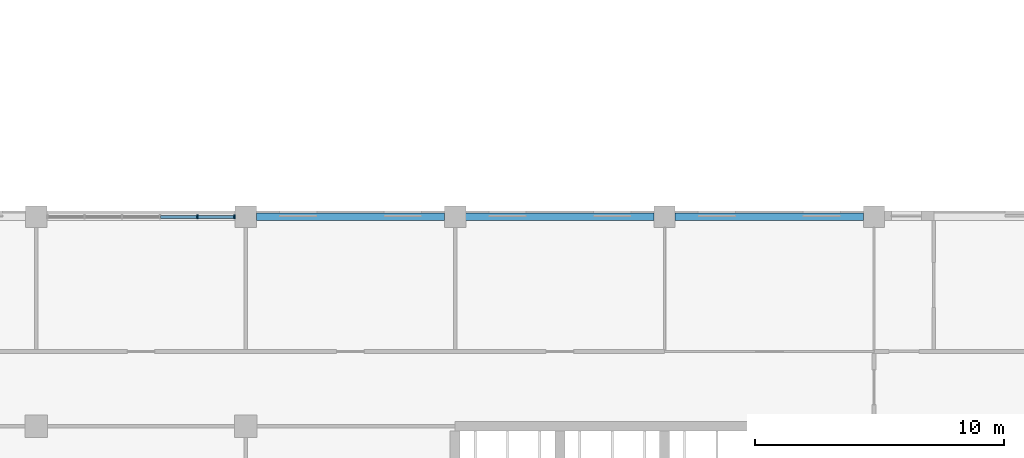
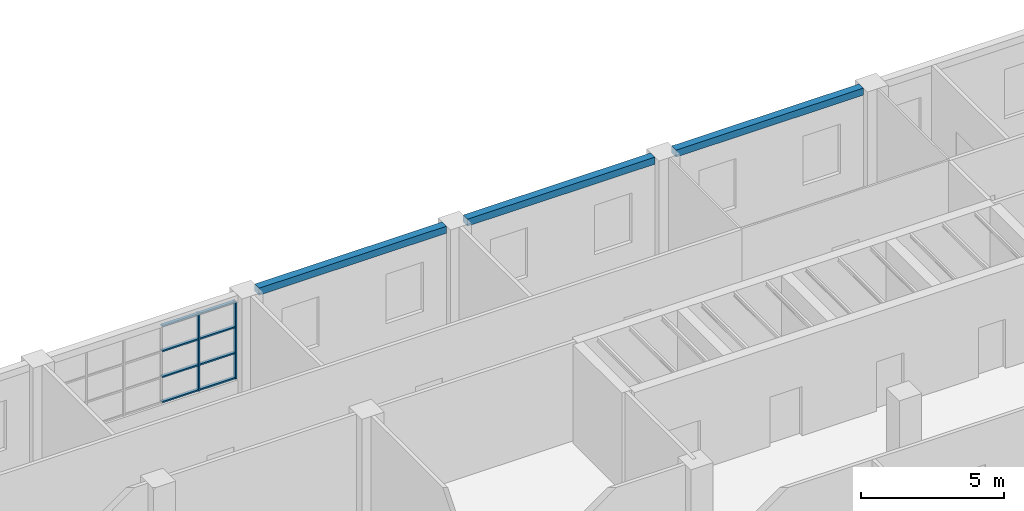
# One storey, part 13 of 66: 10 members, 3 beams, 1 element without a shape of its own.
"""IFC4 building model written with IfcOpenShell, lengths in metres."""

from ifc_helpers import new_model, si_unit, direction, frame, origin, origin_2d, place, context, subcontext, project, spatial, rectangle, extrude, material, material_profile, profile_set, type_object, element, aggregate, save


model = new_model("IFC4")

# Units and contexts
model_context = context("Model", 3, precision=1e-05, world=origin(), true_north=direction((0.0, 1.0)))
body_context = subcontext(model_context, "Body", "Model", "MODEL_VIEW")
ifc_project = project(units=[si_unit("LENGTHUNIT", "METRE"), si_unit("AREAUNIT", "SQUARE_METRE"), si_unit("VOLUMEUNIT", "CUBIC_METRE"), si_unit("PLANEANGLEUNIT", "RADIAN"), si_unit("MASSUNIT", "GRAM", prefix="KILO")], contexts=[model_context])

# Site, building, storey
site_placement = place(None, origin())
site = spatial("IfcSite", under=ifc_project, at=site_placement, CompositionType="ELEMENT")
building_placement = place(site_placement, origin())
building = spatial("IfcBuilding", under=site, at=building_placement, Name="Yavir Park General Hospital", CompositionType="ELEMENT")
storey_placement = place(building_placement, frame((0.0, 0.0, 8.39990234375)))
storey = spatial("IfcBuildingStorey", under=building, at=storey_placement, Name="L02", CompositionType="ELEMENT", Elevation=8.39990234375)

# Curtain wall, members
ifc_material_1 = material(Name="Aluminium curtain wall frame with insulated glazing", Category="aluminium")
curtain_wall_type = type_object("IfcCurtainWallType", Name="Day room pocket glazing, clinical floors, 3300 high, 1400 module", PredefinedType="NOTDEFINED", material=ifc_material_1)
curtain_wall_placement = place(storey_placement, origin())
curtain_wall = element("IfcCurtainWall", 1, at=curtain_wall_placement, inside=storey, type_object=curtain_wall_type, Name="CW58 L02-006", PredefinedType="NOTDEFINED")
ifc_material_2 = material(Name="Aluminium", Category="aluminium")
ifc_material_profile_1 = material_profile(ifc_material_2, rectangle(XDim=0.159912109375, YDim=0.06005859375, at=origin_2d()), Name="AL 60x160")
ifc_profile_set_1 = profile_set([ifc_material_profile_1], Name="Aluminium")
member_type_1 = type_object("IfcMemberType", Name="Day room pocket glazing, clinical floors, 3300 high mullion 60 x 160", PredefinedType="MULLION", material=ifc_profile_set_1)
member_1_placement = place(storey_placement, frame((65.264892578125, 33.60009765625, 0.60009765625), z_axis=(0.0, 0.0, 1.0), x_axis=(0.0, 1.0, 0.0)))
member_1 = element("IfcMember", 2, at=member_1_placement, type_object=member_type_1, Name="CW58 mullion 5", PredefinedType="MULLION", context=body_context, shape_type="SweptSolid", body=[
    extrude(rectangle(XDim=0.159912109375, YDim=0.06005859375, at=origin_2d()), origin(), (0.0, 0.0, 1.0), 3.300048828125),
])
member_2_placement = place(storey_placement, frame((66.7451171875, 33.60009765625, 0.60009765625), z_axis=(0.0, 0.0, 1.0), x_axis=(0.0, 1.0, 0.0)))
member_2 = element("IfcMember", 3, at=member_2_placement, type_object=member_type_1, Name="CW58 mullion 6", PredefinedType="MULLION", context=body_context, shape_type="SweptSolid", body=[
    extrude(rectangle(XDim=0.159912109375, YDim=0.06005859375, at=origin_2d()), origin(), (0.0, 0.0, 1.0), 3.300048828125),
])
ifc_material_3 = material(Name="Aluminium", Category="aluminium")
ifc_material_profile_2 = material_profile(ifc_material_3, rectangle(XDim=0.1201171875, YDim=0.06005859375, at=origin_2d()), Name="AL 120x60")
ifc_profile_set_2 = profile_set([ifc_material_profile_2], Name="Aluminium")
member_type_2 = type_object("IfcMemberType", Name="Day room pocket glazing, clinical floors, 3300 high transom 60 x 120", PredefinedType="MULLION", material=ifc_profile_set_2)
member_3_placement = place(storey_placement, frame((63.784912109375, 33.60009765625, 0.630126953125), z_axis=(1.0, 0.0, 0.0), x_axis=(0.0, 1.0, 0.0)))
member_3 = element("IfcMember", 4, at=member_3_placement, type_object=member_type_2, Name="CW58 transom 4.1", PredefinedType="MULLION", context=body_context, shape_type="SweptSolid", body=[
    extrude(rectangle(XDim=0.1201171875, YDim=0.06005859375, at=origin_2d()), origin(), (0.0, 0.0, 1.0), 1.4501953125),
])
member_4_placement = place(storey_placement, frame((63.784912109375, 33.60009765625, 1.7001953125), z_axis=(1.0, 0.0, 0.0), x_axis=(0.0, 1.0, 0.0)))
member_4 = element("IfcMember", 5, at=member_4_placement, type_object=member_type_2, Name="CW58 transom 4.2", PredefinedType="MULLION", context=body_context, shape_type="SweptSolid", body=[
    extrude(rectangle(XDim=0.1201171875, YDim=0.06005859375, at=origin_2d()), origin(), (0.0, 0.0, 1.0), 1.4501953125),
])
member_5_placement = place(storey_placement, frame((63.784912109375, 33.60009765625, 2.800048828125), z_axis=(1.0, 0.0, 0.0), x_axis=(0.0, 1.0, 0.0)))
member_5 = element("IfcMember", 6, at=member_5_placement, type_object=member_type_2, Name="CW58 transom 4.3", PredefinedType="MULLION", context=body_context, shape_type="SweptSolid", body=[
    extrude(rectangle(XDim=0.1201171875, YDim=0.06005859375, at=origin_2d()), origin(), (0.0, 0.0, 1.0), 1.4501953125),
])
member_6_placement = place(storey_placement, frame((63.784912109375, 33.60009765625, 3.8701171875), z_axis=(1.0, 0.0, 0.0), x_axis=(0.0, 1.0, 0.0)))
member_6 = element("IfcMember", 7, at=member_6_placement, type_object=member_type_2, Name="CW58 transom 4.4", PredefinedType="MULLION", context=body_context, shape_type="SweptSolid", body=[
    extrude(rectangle(XDim=0.1201171875, YDim=0.06005859375, at=origin_2d()), origin(), (0.0, 0.0, 1.0), 1.4501953125),
])
member_7_placement = place(storey_placement, frame((65.294921875, 33.60009765625, 0.630126953125), z_axis=(1.0, 0.0, 0.0), x_axis=(0.0, 1.0, 0.0)))
member_7 = element("IfcMember", 8, at=member_7_placement, type_object=member_type_2, Name="CW58 transom 5.1", PredefinedType="MULLION", context=body_context, shape_type="SweptSolid", body=[
    extrude(rectangle(XDim=0.1201171875, YDim=0.06005859375, at=origin_2d()), origin(), (0.0, 0.0, 1.0), 1.420166015625),
])
member_8_placement = place(storey_placement, frame((65.294921875, 33.60009765625, 1.7001953125), z_axis=(1.0, 0.0, 0.0), x_axis=(0.0, 1.0, 0.0)))
member_8 = element("IfcMember", 9, at=member_8_placement, type_object=member_type_2, Name="CW58 transom 5.2", PredefinedType="MULLION", context=body_context, shape_type="SweptSolid", body=[
    extrude(rectangle(XDim=0.1201171875, YDim=0.06005859375, at=origin_2d()), origin(), (0.0, 0.0, 1.0), 1.420166015625),
])
member_9_placement = place(storey_placement, frame((65.294921875, 33.60009765625, 2.800048828125), z_axis=(1.0, 0.0, 0.0), x_axis=(0.0, 1.0, 0.0)))
member_9 = element("IfcMember", 10, at=member_9_placement, type_object=member_type_2, Name="CW58 transom 5.3", PredefinedType="MULLION", context=body_context, shape_type="SweptSolid", body=[
    extrude(rectangle(XDim=0.1201171875, YDim=0.06005859375, at=origin_2d()), origin(), (0.0, 0.0, 1.0), 1.420166015625),
])
member_10_placement = place(storey_placement, frame((65.294921875, 33.60009765625, 3.8701171875), z_axis=(1.0, 0.0, 0.0), x_axis=(0.0, 1.0, 0.0)))
member_10 = element("IfcMember", 11, at=member_10_placement, type_object=member_type_2, Name="CW58 transom 5.4", PredefinedType="MULLION", context=body_context, shape_type="SweptSolid", body=[
    extrude(rectangle(XDim=0.1201171875, YDim=0.06005859375, at=origin_2d()), origin(), (0.0, 0.0, 1.0), 1.420166015625),
])
aggregate(curtain_wall, [member_1, member_2, member_3, member_4, member_5, member_6, member_7, member_8, member_9, member_10])

# Beams
ifc_material_4 = material(Name="Concrete C35/45", Category="concrete")
ifc_material_profile_3 = material_profile(ifc_material_4, rectangle(XDim=0.300048828125, YDim=0.300048828125, at=origin_2d()), Name="RC300x300")
ifc_profile_set_3 = profile_set([ifc_material_profile_3], Name="Concrete C35/45")
beam_type = type_object("IfcBeamType", Name="RC BEAM 300x300 edge beam", PredefinedType="BEAM", material=ifc_profile_set_3)
for number, where, z_axis, x_axis, name in (
    (12, (67.625, 33.60009765625, 4.050048828125), (1.0, 0.0, 0.0), (0.0, 1.0, 0.0), "B:EDGE:L02:021"),
    (13, (76.02490234375, 33.60009765625, 4.050048828125), (1.0, 0.0, 0.0), (0.0, 1.0, 0.0), "B:EDGE:L02:022"),
    (14, (84.425048828125, 33.60009765625, 4.050048828125), (1.0, 0.0, 0.0), (0.0, 1.0, 0.0), "B:EDGE:L02:023"),
):
    element("IfcBeam", number, at=place(storey_placement, frame(where, z_axis=z_axis, x_axis=x_axis)), inside=storey, type_object=beam_type, Name=name, PredefinedType="BEAM", context=body_context, shape_type="SweptSolid", body=[
        extrude(rectangle(XDim=0.300048828125, YDim=0.300048828125, at=origin_2d()), origin(), (0.0, 0.0, 1.0), 7.550048828125),
    ])

save(model, "model.ifc")
